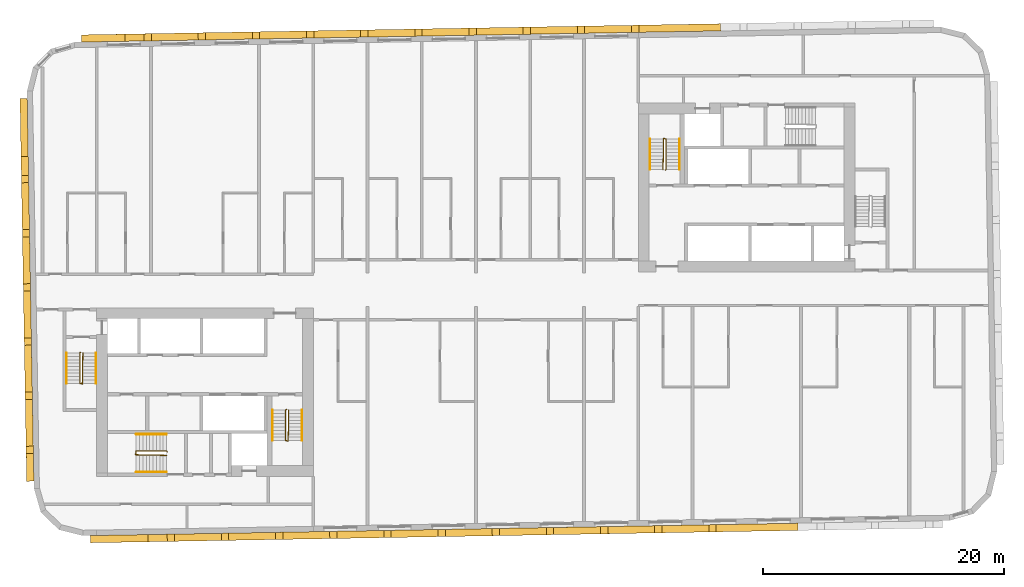
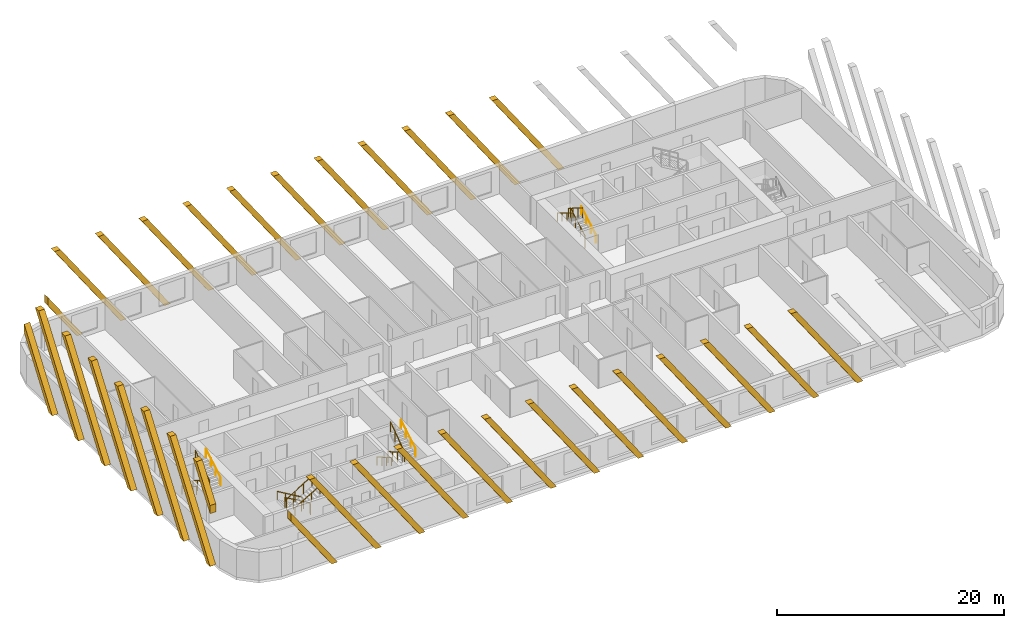
# One storey, part 11 of 12: 33 coverings, 12 railings.
"""IFC4 building model written with IfcOpenShell, lengths in metres."""

from ifc_helpers import new_model, si_unit, direction, frame, origin, origin_2d, place, context, subcontext, project, spatial, polyline, rectangle, circle, outline, extrude, material, material_profile, profile_set, type_object, element, save


model = new_model("IFC4")

# Units and contexts
model_context = context("Model", 3, precision=1e-05, world=origin(), true_north=direction((0.0, 1.0)))
body_context = subcontext(model_context, "Body", "Model", "MODEL_VIEW")
ifc_project = project(units=[si_unit("LENGTHUNIT", "METRE"), si_unit("AREAUNIT", "SQUARE_METRE"), si_unit("VOLUMEUNIT", "CUBIC_METRE"), si_unit("PLANEANGLEUNIT", "RADIAN"), si_unit("MASSUNIT", "GRAM", prefix="KILO")], contexts=[model_context])

# Site, building, storey
site_placement = place(None, origin())
site = spatial("IfcSite", under=ifc_project, at=site_placement, CompositionType="ELEMENT")
building_placement = place(site_placement, origin())
building = spatial("IfcBuilding", under=site, at=building_placement, Name="Kajstack Hotel Tower", CompositionType="ELEMENT")
storey_placement = place(building_placement, frame((0.0, 0.0, 217.699951171875)))
storey = spatial("IfcBuildingStorey", under=building, at=storey_placement, Name="L52", CompositionType="ELEMENT", Elevation=217.699951171875)

# Coverings
ifc_material_1 = material(Name="Terracotta", Category="masonry")
ifc_material_profile = material_profile(ifc_material_1, rectangle(XDim=0.60009765625, YDim=0.5, at=origin_2d()), Name="Terracotta-clad concrete baguette 500 x 600")
ifc_profile_set = profile_set([ifc_material_profile], Name="Terracotta")
covering_type = type_object("IfcCoveringType", Name="BAGUETTE 500x600", PredefinedType="CLADDING", material=ifc_profile_set)
covering_1_placement = place(storey_placement, frame((-37.271484375, 15.8994140625, 0.0), z_axis=(-0.999846892363, -0.017498337962, 0.0), x_axis=(0.017498337962, -0.999846892363, 0.0)))
element("IfcCovering", 1, at=covering_1_placement, inside=storey, type_object=covering_type, Name="Baguette L52-00-000", PredefinedType="CLADDING", context=body_context, shape_type="SweptSolid", body=[
    extrude(outline(polyline([(4.803466796875, 0.0), (0.0, 6.989013671875), (0.0, 6.106201171875), (4.196533203125, 0.0), (4.803466796875, 0.0)])), origin(), (0.0, 0.0, 1.0), 0.599853515625),
])
covering_2_placement = place(storey_placement, frame((-37.23828125, 14.00732421875, 0.0), z_axis=(-0.999847016888, -0.017491221207, 0.0), x_axis=(0.017491221207, -0.999847016888, 0.0)))
element("IfcCovering", 2, at=covering_2_placement, inside=storey, type_object=covering_type, Name="Baguette L52-00-004", PredefinedType="CLADDING", context=body_context, shape_type="SweptSolid", body=[
    extrude(outline(polyline([(0.0, 9.89990234375), (6.80419921875, 0.0), (7.410888671875, 0.0), (0.606689453125, 9.89990234375), (0.0, 9.89990234375)])), origin(), (0.0, 0.0, 1.0), 0.60009765625),
])
for number, where, z_axis, x_axis, name in (
    (3, (-37.159912109375, 9.5078125, 0.0), (-0.999846892363, -0.017498337962, 0.0), (0.017498337962, -0.999846892363, 0.0), "Baguette L52-00-008"),
    (4, (-37.081298828125, 5.008544921875, 0.0), (-0.999846892363, -0.017498337962, 0.0), (0.017498337962, -0.999846892363, 0.0), "Baguette L52-00-012"),
):
    element("IfcCovering", number, at=place(storey_placement, frame(where, z_axis=z_axis, x_axis=x_axis)), inside=storey, type_object=covering_type, Name=name, PredefinedType="CLADDING", context=body_context, shape_type="SweptSolid", body=[
        extrude(outline(polyline([(0.0, 9.89990234375), (6.80419921875, 0.0), (7.410888671875, 0.0), (0.606689453125, 9.89990234375), (0.0, 9.89990234375)])), origin(), (0.0, 0.0, 1.0), 0.599853515625),
    ])
covering_3_placement = place(storey_placement, frame((-37.002685546875, 0.50927734375, 0.0), z_axis=(-0.999847016888, -0.017491221207, 0.0), x_axis=(0.017491221207, -0.999847016888, 0.0)))
element("IfcCovering", 5, at=covering_3_placement, inside=storey, type_object=covering_type, Name="Baguette L52-00-016", PredefinedType="CLADDING", context=body_context, shape_type="SweptSolid", body=[
    extrude(outline(polyline([(0.0, 9.89990234375), (6.80419921875, 0.0), (7.410888671875, 0.0), (0.606689453125, 9.89990234375), (0.0, 9.89990234375)])), origin(), (0.0, 0.0, 1.0), 0.60009765625),
])
covering_4_placement = place(storey_placement, frame((-36.92431640625, -3.989990234375, 0.0), z_axis=(-0.999846892363, -0.017498337962, 0.0), x_axis=(0.017498337962, -0.999846892363, 0.0)))
element("IfcCovering", 6, at=covering_4_placement, inside=storey, type_object=covering_type, Name="Baguette L52-00-020", PredefinedType="CLADDING", context=body_context, shape_type="SweptSolid", body=[
    extrude(outline(polyline([(0.0, 9.89990234375), (6.80419921875, 0.0), (7.410888671875, 0.0), (0.606689453125, 9.89990234375), (0.0, 9.89990234375)])), origin(), (0.0, 0.0, 1.0), 0.599853515625),
])
covering_5_placement = place(storey_placement, frame((-36.845703125, -8.489501953125, 0.0), z_axis=(-0.999853929301, -0.017091520159, 0.0), x_axis=(0.017091520159, -0.999853929301, 0.0)))
element("IfcCovering", 7, at=covering_5_placement, inside=storey, type_object=covering_type, Name="Baguette L52-00-024", PredefinedType="CLADDING", context=body_context, shape_type="SweptSolid", body=[
    extrude(outline(polyline([(6.80419921875, 0.0), (7.407470703125, 0.0), (7.407470703125, 0.0048828125), (0.606689453125, 9.89990234375), (0.0, 9.89990234375), (6.80419921875, 0.0)])), origin(), (0.0, 0.0, 1.0), 0.599853515625),
])
covering_6_placement = place(storey_placement, frame((-36.76708984375, -12.98876953125, 0.0), z_axis=(-0.999846892363, -0.017498337962, 0.0), x_axis=(0.017498337962, -0.999846892363, 0.0)))
element("IfcCovering", 8, at=covering_6_placement, inside=storey, type_object=covering_type, Name="Baguette L52-00-028", PredefinedType="CLADDING", context=body_context, shape_type="SweptSolid", body=[
    extrude(outline(polyline([(0.0, 9.89990234375), (2.907470703125, 5.669677734375), (2.907470703125, 6.552490234375), (0.606689453125, 9.89990234375), (0.0, 9.89990234375)])), origin(), (0.0, 0.0, 1.0), 0.599853515625),
])
covering_7_placement = place(storey_placement, frame((-32.036865234375, -20.414794921875, 0.0), z_axis=(0.017498337962, -0.999846892363, 0.0), x_axis=(0.999846892363, 0.017498337962, 0.0)))
element("IfcCovering", 9, at=covering_7_placement, inside=storey, type_object=covering_type, Name="Baguette L52-04-000", PredefinedType="CLADDING", context=body_context, shape_type="SweptSolid", body=[
    extrude(outline(polyline([(4.803466796875, 0.0), (0.0, 6.989013671875), (0.0, 6.106201171875), (4.196533203125, 0.0), (4.803466796875, 0.0)])), origin(), (0.0, 0.0, 1.0), 0.599853515625),
])
covering_8_placement = place(storey_placement, frame((-30.14453125, -20.381591796875, 0.0), z_axis=(0.017491221207, -0.999847016888, 0.0), x_axis=(0.999847016888, 0.017491221207, 0.0)))
element("IfcCovering", 10, at=covering_8_placement, inside=storey, type_object=covering_type, Name="Baguette L52-04-004", PredefinedType="CLADDING", context=body_context, shape_type="SweptSolid", body=[
    extrude(outline(polyline([(0.0, 9.89990234375), (6.80419921875, 0.0), (7.410888671875, 0.0), (0.606689453125, 9.89990234375), (0.0, 9.89990234375)])), origin(), (0.0, 0.0, 1.0), 0.60009765625),
])
for number, where, z_axis, x_axis, name in (
    (11, (-25.645263671875, -20.30322265625, 0.0), (0.017498337962, -0.999846892363, 0.0), (0.999846892363, 0.017498337962, 0.0), "Baguette L52-04-008"),
    (12, (-21.14599609375, -20.224609375, 0.0), (0.017498337962, -0.999846892363, 0.0), (0.999846892363, 0.017498337962, 0.0), "Baguette L52-04-012"),
):
    element("IfcCovering", number, at=place(storey_placement, frame(where, z_axis=z_axis, x_axis=x_axis)), inside=storey, type_object=covering_type, Name=name, PredefinedType="CLADDING", context=body_context, shape_type="SweptSolid", body=[
        extrude(outline(polyline([(0.0, 9.89990234375), (6.80419921875, 0.0), (7.410888671875, 0.0), (0.606689453125, 9.89990234375), (0.0, 9.89990234375)])), origin(), (0.0, 0.0, 1.0), 0.599853515625),
    ])
covering_9_placement = place(storey_placement, frame((-16.646484375, -20.14599609375, 0.0), z_axis=(0.017491221207, -0.999847016888, 0.0), x_axis=(0.999847016888, 0.017491221207, 0.0)))
element("IfcCovering", 13, at=covering_9_placement, inside=storey, type_object=covering_type, Name="Baguette L52-04-016", PredefinedType="CLADDING", context=body_context, shape_type="SweptSolid", body=[
    extrude(outline(polyline([(0.0, 9.89990234375), (6.80419921875, 0.0), (7.410888671875, 0.0), (0.606689453125, 9.89990234375), (0.0, 9.89990234375)])), origin(), (0.0, 0.0, 1.0), 0.60009765625),
])
for number, where, z_axis, x_axis, name in (
    (14, (-12.147216796875, -20.067626953125, 0.0), (0.017498337962, -0.999846892363, 0.0), (0.999846892363, 0.017498337962, 0.0), "Baguette L52-04-020"),
    (15, (-7.64794921875, -19.989013671875, 0.0), (0.017498337962, -0.999846892363, 0.0), (0.999846892363, 0.017498337962, 0.0), "Baguette L52-04-024"),
):
    element("IfcCovering", number, at=place(storey_placement, frame(where, z_axis=z_axis, x_axis=x_axis)), inside=storey, type_object=covering_type, Name=name, PredefinedType="CLADDING", context=body_context, shape_type="SweptSolid", body=[
        extrude(outline(polyline([(0.0, 9.89990234375), (6.80419921875, 0.0), (7.410888671875, 0.0), (0.606689453125, 9.89990234375), (0.0, 9.89990234375)])), origin(), (0.0, 0.0, 1.0), 0.599853515625),
    ])
covering_10_placement = place(storey_placement, frame((-3.148681640625, -19.910400390625, 0.0), z_axis=(0.017491221207, -0.999847016888, 0.0), x_axis=(0.999847016888, 0.017491221207, 0.0)))
element("IfcCovering", 16, at=covering_10_placement, inside=storey, type_object=covering_type, Name="Baguette L52-04-028", PredefinedType="CLADDING", context=body_context, shape_type="SweptSolid", body=[
    extrude(outline(polyline([(0.0, 9.89990234375), (6.80419921875, 0.0), (7.410888671875, 0.0), (0.606689453125, 9.89990234375), (0.0, 9.89990234375)])), origin(), (0.0, 0.0, 1.0), 0.60009765625),
])
for number, where, z_axis, x_axis, name in (
    (17, (1.3505859375, -19.83203125, 0.0), (0.017498337962, -0.999846892363, 0.0), (0.999846892363, 0.017498337962, 0.0), "Baguette L52-04-032"),
    (18, (5.85009765625, -19.75341796875, 0.0), (0.017091520159, -0.999853929301, 0.0), (0.999853929301, 0.017091520159, 0.0), "Baguette L52-04-036"),
    (19, (10.349365234375, -19.6748046875, 0.0), (0.017498337962, -0.999846892363, 0.0), (0.999846892363, 0.017498337962, 0.0), "Baguette L52-04-040"),
    (20, (14.8486328125, -19.596435546875, 0.0), (0.017498337962, -0.999846892363, 0.0), (0.999846892363, 0.017498337962, 0.0), "Baguette L52-04-044"),
    (21, (19.347900390625, -19.517822265625, 0.0), (0.017498337962, -0.999846892363, 0.0), (0.999846892363, 0.017498337962, 0.0), "Baguette L52-04-048"),
):
    element("IfcCovering", number, at=place(storey_placement, frame(where, z_axis=z_axis, x_axis=x_axis)), inside=storey, type_object=covering_type, Name=name, PredefinedType="CLADDING", context=body_context, shape_type="SweptSolid", body=[
        extrude(outline(polyline([(0.0, 9.89990234375), (6.80419921875, 0.0), (7.410888671875, 0.0), (0.606689453125, 9.89990234375), (0.0, 9.89990234375)])), origin(), (0.0, 0.0, 1.0), 0.599853515625),
    ])
covering_11_placement = place(storey_placement, frame((20.3427734375, 21.505859375, 0.0), z_axis=(-0.017498337962, 0.999846892363, 0.0), x_axis=(-0.999846892363, -0.017498337962, 0.0)))
element("IfcCovering", 22, at=covering_11_placement, inside=storey, type_object=covering_type, Name="Baguette L52-12-020", PredefinedType="CLADDING", context=body_context, shape_type="SweptSolid", body=[
    extrude(outline(polyline([(6.80419921875, 9.89990234375), (0.0, 0.0), (0.606689453125, 0.0), (7.410888671875, 9.89990234375), (6.80419921875, 9.89990234375)])), origin(), (0.0, 0.0, 1.0), 0.599853515625),
])
covering_12_placement = place(storey_placement, frame((15.843505859375, 21.42724609375, 0.0), z_axis=(-0.017491221207, 0.999847016888, 0.0), x_axis=(-0.999847016888, -0.017491221207, 0.0)))
element("IfcCovering", 23, at=covering_12_placement, inside=storey, type_object=covering_type, Name="Baguette L52-12-024", PredefinedType="CLADDING", context=body_context, shape_type="SweptSolid", body=[
    extrude(outline(polyline([(6.80419921875, 9.89990234375), (0.0, 0.0), (0.606689453125, 0.0), (7.410888671875, 9.89990234375), (6.80419921875, 9.89990234375)])), origin(), (0.0, 0.0, 1.0), 0.60009765625),
])
for number, where, z_axis, x_axis, name in (
    (24, (11.34423828125, 21.348876953125, 0.0), (-0.017498337962, 0.999846892363, 0.0), (-0.999846892363, -0.017498337962, 0.0), "Baguette L52-12-028"),
    (25, (6.844970703125, 21.270263671875, 0.0), (-0.017498337962, 0.999846892363, 0.0), (-0.999846892363, -0.017498337962, 0.0), "Baguette L52-12-032"),
):
    element("IfcCovering", number, at=place(storey_placement, frame(where, z_axis=z_axis, x_axis=x_axis)), inside=storey, type_object=covering_type, Name=name, PredefinedType="CLADDING", context=body_context, shape_type="SweptSolid", body=[
        extrude(outline(polyline([(6.80419921875, 9.89990234375), (0.0, 0.0), (0.606689453125, 0.0), (7.410888671875, 9.89990234375), (6.80419921875, 9.89990234375)])), origin(), (0.0, 0.0, 1.0), 0.599853515625),
    ])
covering_13_placement = place(storey_placement, frame((2.345703125, 21.191650390625, 0.0), z_axis=(-0.017491221207, 0.999847016888, 0.0), x_axis=(-0.999847016888, -0.017491221207, 0.0)))
element("IfcCovering", 26, at=covering_13_placement, inside=storey, type_object=covering_type, Name="Baguette L52-12-036", PredefinedType="CLADDING", context=body_context, shape_type="SweptSolid", body=[
    extrude(outline(polyline([(6.80419921875, 9.89990234375), (0.0, 0.0), (0.606689453125, 0.0), (7.410888671875, 9.89990234375), (6.80419921875, 9.89990234375)])), origin(), (0.0, 0.0, 1.0), 0.60009765625),
])
for number, where, z_axis, x_axis, name in (
    (27, (-2.15380859375, 21.11328125, 0.0), (-0.017498337962, 0.999846892363, 0.0), (-0.999846892363, -0.017498337962, 0.0), "Baguette L52-12-040"),
    (28, (-6.653076171875, 21.03466796875, 0.0), (-0.017498337962, 0.999846892363, 0.0), (-0.999846892363, -0.017498337962, 0.0), "Baguette L52-12-044"),
    (29, (-11.15234375, 20.9560546875, 0.0), (-0.017498337962, 0.999846892363, 0.0), (-0.999846892363, -0.017498337962, 0.0), "Baguette L52-12-048"),
    (30, (-15.651611328125, 20.877685546875, 0.0), (-0.017498337962, 0.999846892363, 0.0), (-0.999846892363, -0.017498337962, 0.0), "Baguette L52-12-052"),
    (31, (-20.15087890625, 20.799072265625, 0.0), (-0.017498337962, 0.999846892363, 0.0), (-0.999846892363, -0.017498337962, 0.0), "Baguette L52-12-056"),
    (32, (-24.650390625, 20.720458984375, 0.0), (-0.017091520159, 0.999853929301, 0.0), (-0.999853929301, -0.017091520159, 0.0), "Baguette L52-12-060"),
):
    element("IfcCovering", number, at=place(storey_placement, frame(where, z_axis=z_axis, x_axis=x_axis)), inside=storey, type_object=covering_type, Name=name, PredefinedType="CLADDING", context=body_context, shape_type="SweptSolid", body=[
        extrude(outline(polyline([(6.80419921875, 9.89990234375), (0.0, 0.0), (0.606689453125, 0.0), (7.410888671875, 9.89990234375), (6.80419921875, 9.89990234375)])), origin(), (0.0, 0.0, 1.0), 0.599853515625),
    ])
covering_14_placement = place(storey_placement, frame((-29.149658203125, 20.641845703125, 0.0), z_axis=(-0.017491221207, 0.999847016888, 0.0), x_axis=(-0.999847016888, -0.017491221207, 0.0)))
element("IfcCovering", 33, at=covering_14_placement, inside=storey, type_object=covering_type, Name="Baguette L52-12-064", PredefinedType="CLADDING", context=body_context, shape_type="SweptSolid", body=[
    extrude(outline(polyline([(0.606689453125, 0.0), (3.603271484375, 4.360107421875), (3.603271484375, 5.242919921875), (0.0, 0.0), (0.606689453125, 0.0)])), origin(), (0.0, 0.0, 1.0), 0.60009765625),
])

# Railings
ifc_material_2 = material(Name="Steel S355J2", Category="steel")
railing_type_1 = type_object("IfcRailingType", Name="Stair guard 1100", PredefinedType="GUARDRAIL", material=ifc_material_2)
railing_1_placement = place(storey_placement, frame((-32.85009765625, -5.199951171875, 0.0)))
element("IfcRailing", 34, at=railing_1_placement, inside=storey, type_object=railing_type_1, Name="L52 W1 stair guard 1", PredefinedType="GUARDRAIL", context=body_context, shape_type="SweptSolid", body=[
    extrude(circle(Radius=0.02392578125, at=origin_2d()), frame((0.0, 0.0, 1.076171875), z_axis=(-0.277450376394, -0.278810427259, 0.919394384522), x_axis=(0.708833529934, -0.705375805398, 0.0)), (0.0, 0.0, 1.0), 0.179443359375),
    extrude(circle(Radius=0.02392578125, at=origin_2d()), frame((-0.0498046875, -0.050048828125, 1.2412109375), z_axis=(0.0, -0.86152411907, 0.507716645641), x_axis=(1.0, 0.0, 0.0)), (0.0, 0.0, 1.0), 2.925048828125),
    extrude(circle(Radius=0.02392578125, at=origin_2d()), frame((-0.0498046875, -2.570068359375, 2.72607421875), z_axis=(0.970072785993, -0.242814311512, 0.0), x_axis=(0.242814311512, 0.970072785993, 0.0)), (0.0, 0.0, 1.0), 0.2060546875),
    extrude(circle(Radius=0.02392578125, at=origin_2d()), frame((0.150146484375, -2.6201171875, 2.72607421875), z_axis=(0.016385308676, 0.841405582595, 0.540155687962), x_axis=(-0.999810440751, 0.019470042781, 0.0)), (0.0, 0.0, 1.0), 3.054443359375),
    extrude(circle(Radius=0.02099609375, at=origin_2d()), origin(), (0.0, 0.0, 1.0), 1.052001953125),
    extrude(circle(Radius=0.02099609375, at=origin_2d()), frame((-0.0498046875, -0.050048828125, 0.1650390625)), (0.0, 0.0, 1.0), 1.052001953125),
    extrude(circle(Radius=0.02099609375, at=origin_2d()), frame((-0.0498046875, -0.89013671875, 0.66015625)), (0.0, 0.0, 1.0), 1.052001953125),
    extrude(circle(Radius=0.02099609375, at=origin_2d()), frame((-0.0498046875, -1.72998046875, 1.155029296875)), (0.0, 0.0, 1.0), 1.052001953125),
    extrude(circle(Radius=0.02099609375, at=origin_2d()), frame((-0.0498046875, -2.570068359375, 1.650146484375)), (0.0, 0.0, 1.0), 1.052001953125),
    extrude(circle(Radius=0.02099609375, at=origin_2d()), frame((0.150146484375, -2.6201171875, 1.650146484375)), (0.0, 0.0, 1.0), 1.052001953125),
    extrude(circle(Radius=0.02099609375, at=origin_2d()), frame((0.166748046875, -1.763427734375, 2.2001953125)), (0.0, 0.0, 1.0), 1.052001953125),
    extrude(circle(Radius=0.02099609375, at=origin_2d()), frame((0.18359375, -0.90673828125, 2.75)), (0.0, 0.0, 1.0), 1.052001953125),
    extrude(circle(Radius=0.02099609375, at=origin_2d()), frame((0.2001953125, -0.050048828125, 3.300048828125)), (0.0, 0.0, 1.0), 1.052001953125),
])
railing_2_placement = place(storey_placement, frame((-15.75, -9.949951171875, 0.0)))
element("IfcRailing", 35, at=railing_2_placement, inside=storey, type_object=railing_type_1, Name="L52 W2 stair guard 1", PredefinedType="GUARDRAIL", context=body_context, shape_type="SweptSolid", body=[
    extrude(circle(Radius=0.02392578125, at=origin_2d()), frame((0.0, 0.0, 1.076171875), z_axis=(-0.278705021027, -0.278705021027, 0.919046801044), x_axis=(0.707106781187, -0.707106781187, 0.0)), (0.0, 0.0, 1.0), 0.1796875),
    extrude(circle(Radius=0.02392578125, at=origin_2d()), frame((-0.050048828125, -0.050048828125, 1.2412109375), z_axis=(0.0, -0.86152411907, 0.507716645641), x_axis=(1.0, 0.0, 0.0)), (0.0, 0.0, 1.0), 2.925048828125),
    extrude(circle(Radius=0.02392578125, at=origin_2d()), frame((-0.050048828125, -2.570068359375, 2.72607421875), z_axis=(0.970072785993, -0.242814311512, 0.0), x_axis=(0.242814311512, 0.970072785993, 0.0)), (0.0, 0.0, 1.0), 0.2060546875),
    extrude(circle(Radius=0.02392578125, at=origin_2d()), frame((0.14990234375, -2.6201171875, 2.72607421875), z_axis=(0.016385308676, 0.841405582595, 0.540155687962), x_axis=(-0.999810440751, 0.019470042781, 0.0)), (0.0, 0.0, 1.0), 3.054443359375),
    extrude(circle(Radius=0.02099609375, at=origin_2d()), origin(), (0.0, 0.0, 1.0), 1.052001953125),
    extrude(circle(Radius=0.02099609375, at=origin_2d()), frame((-0.050048828125, -0.050048828125, 0.1650390625)), (0.0, 0.0, 1.0), 1.052001953125),
    extrude(circle(Radius=0.02099609375, at=origin_2d()), frame((-0.050048828125, -0.89013671875, 0.66015625)), (0.0, 0.0, 1.0), 1.052001953125),
    extrude(circle(Radius=0.02099609375, at=origin_2d()), frame((-0.050048828125, -1.72998046875, 1.155029296875)), (0.0, 0.0, 1.0), 1.052001953125),
    extrude(circle(Radius=0.02099609375, at=origin_2d()), frame((-0.050048828125, -2.570068359375, 1.650146484375)), (0.0, 0.0, 1.0), 1.052001953125),
    extrude(circle(Radius=0.02099609375, at=origin_2d()), frame((0.14990234375, -2.6201171875, 1.650146484375)), (0.0, 0.0, 1.0), 1.052001953125),
    extrude(circle(Radius=0.02099609375, at=origin_2d()), frame((0.16650390625, -1.763427734375, 2.2001953125)), (0.0, 0.0, 1.0), 1.052001953125),
    extrude(circle(Radius=0.02099609375, at=origin_2d()), frame((0.183349609375, -0.90673828125, 2.75)), (0.0, 0.0, 1.0), 1.052001953125),
    extrude(circle(Radius=0.02099609375, at=origin_2d()), frame((0.199951171875, -0.050048828125, 3.300048828125)), (0.0, 0.0, 1.0), 1.052001953125),
])
railing_3_placement = place(storey_placement, frame((-25.64990234375, -13.449951171875, 0.0)))
element("IfcRailing", 36, at=railing_3_placement, inside=storey, type_object=railing_type_1, Name="L52 W3 stair guard 1", PredefinedType="GUARDRAIL", context=body_context, shape_type="SweptSolid", body=[
    extrude(circle(Radius=0.02392578125, at=origin_2d()), frame((0.0, 0.0, 1.076171875), z_axis=(-0.278705021027, 0.278705021027, 0.919046801044), x_axis=(-0.707106781187, -0.707106781187, 0.0)), (0.0, 0.0, 1.0), 0.1796875),
    extrude(circle(Radius=0.02392578125, at=origin_2d()), frame((-0.050048828125, 0.050048828125, 1.2412109375), z_axis=(-0.86152411907, 0.0, 0.507716645641), x_axis=(0.0, -1.0, 0.0)), (0.0, 0.0, 1.0), 2.925048828125),
    extrude(circle(Radius=0.02392578125, at=origin_2d()), frame((-2.570068359375, 0.050048828125, 2.72607421875), z_axis=(-0.164529134168, -0.986372223864, 0.0), x_axis=(0.986372223864, -0.164529134168, 0.0)), (0.0, 0.0, 1.0), 0.30419921875),
    extrude(circle(Radius=0.02392578125, at=origin_2d()), frame((-2.6201171875, -0.25, 2.72607421875), z_axis=(0.841405582595, -0.016385308676, 0.540155687962), x_axis=(0.019470042781, 0.999810440751, 0.0)), (0.0, 0.0, 1.0), 3.054443359375),
    extrude(circle(Radius=0.02099609375, at=origin_2d()), origin(), (0.0, 0.0, 1.0), 1.052001953125),
    extrude(circle(Radius=0.02099609375, at=origin_2d()), frame((-0.050048828125, 0.050048828125, 0.1650390625)), (0.0, 0.0, 1.0), 1.052001953125),
    extrude(circle(Radius=0.02099609375, at=origin_2d()), frame((-0.89013671875, 0.050048828125, 0.66015625)), (0.0, 0.0, 1.0), 1.052001953125),
    extrude(circle(Radius=0.02099609375, at=origin_2d()), frame((-1.72998046875, 0.050048828125, 1.155029296875)), (0.0, 0.0, 1.0), 1.052001953125),
    extrude(circle(Radius=0.02099609375, at=origin_2d()), frame((-2.570068359375, 0.050048828125, 1.650146484375)), (0.0, 0.0, 1.0), 1.052001953125),
    extrude(circle(Radius=0.02099609375, at=origin_2d()), frame((-2.6201171875, -0.25, 1.650146484375)), (0.0, 0.0, 1.0), 1.052001953125),
    extrude(circle(Radius=0.02099609375, at=origin_2d()), frame((-1.763427734375, -0.2666015625, 2.2001953125)), (0.0, 0.0, 1.0), 1.052001953125),
    extrude(circle(Radius=0.02099609375, at=origin_2d()), frame((-0.90673828125, -0.283447265625, 2.75)), (0.0, 0.0, 1.0), 1.052001953125),
    extrude(circle(Radius=0.02099609375, at=origin_2d()), frame((-0.050048828125, -0.300048828125, 3.300048828125)), (0.0, 0.0, 1.0), 1.052001953125),
])
railing_4_placement = place(storey_placement, frame((15.75, 9.949951171875, 0.0)))
element("IfcRailing", 37, at=railing_4_placement, inside=storey, type_object=railing_type_1, Name="L52 E2 stair guard 1", PredefinedType="GUARDRAIL", context=body_context, shape_type="SweptSolid", body=[
    extrude(circle(Radius=0.02392578125, at=origin_2d()), frame((0.0, 0.0, 1.076171875), z_axis=(0.278705021027, 0.278705021027, 0.919046801044), x_axis=(-0.707106781187, 0.707106781187, 0.0)), (0.0, 0.0, 1.0), 0.1796875),
    extrude(circle(Radius=0.02392578125, at=origin_2d()), frame((0.050048828125, 0.050048828125, 1.2412109375), z_axis=(0.0, 0.86152411907, 0.507716645641), x_axis=(-1.0, 0.0, 0.0)), (0.0, 0.0, 1.0), 2.925048828125),
    extrude(circle(Radius=0.02392578125, at=origin_2d()), frame((0.050048828125, 2.570068359375, 2.72607421875), z_axis=(-0.970072785993, 0.242814311512, 0.0), x_axis=(-0.242814311512, -0.970072785993, 0.0)), (0.0, 0.0, 1.0), 0.2060546875),
    extrude(circle(Radius=0.02392578125, at=origin_2d()), frame((-0.14990234375, 2.6201171875, 2.72607421875), z_axis=(-0.016385308676, -0.841405582595, 0.540155687962), x_axis=(0.999810440751, -0.019470042781, 0.0)), (0.0, 0.0, 1.0), 3.054443359375),
    extrude(circle(Radius=0.02099609375, at=origin_2d()), origin(), (0.0, 0.0, 1.0), 1.052001953125),
    extrude(circle(Radius=0.02099609375, at=origin_2d()), frame((0.050048828125, 0.050048828125, 0.1650390625)), (0.0, 0.0, 1.0), 1.052001953125),
    extrude(circle(Radius=0.02099609375, at=origin_2d()), frame((0.050048828125, 0.89013671875, 0.66015625)), (0.0, 0.0, 1.0), 1.052001953125),
    extrude(circle(Radius=0.02099609375, at=origin_2d()), frame((0.050048828125, 1.72998046875, 1.155029296875)), (0.0, 0.0, 1.0), 1.052001953125),
    extrude(circle(Radius=0.02099609375, at=origin_2d()), frame((0.050048828125, 2.570068359375, 1.650146484375)), (0.0, 0.0, 1.0), 1.052001953125),
    extrude(circle(Radius=0.02099609375, at=origin_2d()), frame((-0.14990234375, 2.6201171875, 1.650146484375)), (0.0, 0.0, 1.0), 1.052001953125),
    extrude(circle(Radius=0.02099609375, at=origin_2d()), frame((-0.16650390625, 1.763427734375, 2.2001953125)), (0.0, 0.0, 1.0), 1.052001953125),
    extrude(circle(Radius=0.02099609375, at=origin_2d()), frame((-0.183349609375, 0.90673828125, 2.75)), (0.0, 0.0, 1.0), 1.052001953125),
    extrude(circle(Radius=0.02099609375, at=origin_2d()), frame((-0.199951171875, 0.050048828125, 3.300048828125)), (0.0, 0.0, 1.0), 1.052001953125),
])
railing_type_2 = type_object("IfcRailingType", Name="Stair handrail 900", PredefinedType="HANDRAIL", material=ifc_material_2)
railing_5_placement = place(storey_placement, frame((-34.0, -5.25, 0.1650390625)))
element("IfcRailing", 38, at=railing_5_placement, inside=storey, type_object=railing_type_2, Name="L52 W1 stair handrail 1", PredefinedType="HANDRAIL", context=body_context, shape_type="SweptSolid", body=[
    extrude(circle(Radius=0.02392578125, at=origin_2d()), frame((0.0, 0.0, 0.8759765625), z_axis=(0.0, -0.86152411907, 0.507716645641), x_axis=(1.0, 0.0, 0.0)), (0.0, 0.0, 1.0), 2.925048828125),
    extrude(circle(Radius=0.02099609375, at=origin_2d()), origin(), (0.0, 0.0, 1.0), 0.851806640625),
    extrude(circle(Radius=0.02099609375, at=origin_2d()), frame((0.0, -0.840087890625, 0.4951171875)), (0.0, 0.0, 1.0), 0.851806640625),
    extrude(circle(Radius=0.02099609375, at=origin_2d()), frame((0.0, -1.679931640625, 0.989990234375)), (0.0, 0.0, 1.0), 0.851806640625),
    extrude(circle(Radius=0.02099609375, at=origin_2d()), frame((0.0, -2.52001953125, 1.485107421875)), (0.0, 0.0, 1.0), 0.851806640625),
])
railing_6_placement = place(storey_placement, frame((-31.550048828125, -7.77001953125, 1.81494140625)))
element("IfcRailing", 39, at=railing_6_placement, inside=storey, type_object=railing_type_2, Name="L52 W1 stair handrail 2", PredefinedType="HANDRAIL", context=body_context, shape_type="SweptSolid", body=[
    extrude(circle(Radius=0.02392578125, at=origin_2d()), frame((0.0, 0.0, 0.8759765625), z_axis=(0.0, 0.86152411907, 0.507716645641), x_axis=(-1.0, 0.0, 0.0)), (0.0, 0.0, 1.0), 2.925048828125),
    extrude(circle(Radius=0.02099609375, at=origin_2d()), origin(), (0.0, 0.0, 1.0), 0.851806640625),
    extrude(circle(Radius=0.02099609375, at=origin_2d()), frame((0.0, 0.840087890625, 0.4951171875)), (0.0, 0.0, 1.0), 0.851806640625),
    extrude(circle(Radius=0.02099609375, at=origin_2d()), frame((0.0, 1.679931640625, 0.989990234375)), (0.0, 0.0, 1.0), 0.851806640625),
    extrude(circle(Radius=0.02099609375, at=origin_2d()), frame((0.0, 2.52001953125, 1.485107421875)), (0.0, 0.0, 1.0), 0.851806640625),
])
railing_7_placement = place(storey_placement, frame((-16.89990234375, -10.0, 0.1650390625)))
element("IfcRailing", 40, at=railing_7_placement, inside=storey, type_object=railing_type_2, Name="L52 W2 stair handrail 1", PredefinedType="HANDRAIL", context=body_context, shape_type="SweptSolid", body=[
    extrude(circle(Radius=0.02392578125, at=origin_2d()), frame((0.0, 0.0, 0.8759765625), z_axis=(0.0, -0.86152411907, 0.507716645641), x_axis=(1.0, 0.0, 0.0)), (0.0, 0.0, 1.0), 2.925048828125),
    extrude(circle(Radius=0.02099609375, at=origin_2d()), origin(), (0.0, 0.0, 1.0), 0.851806640625),
    extrude(circle(Radius=0.02099609375, at=origin_2d()), frame((0.0, -0.840087890625, 0.4951171875)), (0.0, 0.0, 1.0), 0.851806640625),
    extrude(circle(Radius=0.02099609375, at=origin_2d()), frame((0.0, -1.679931640625, 0.989990234375)), (0.0, 0.0, 1.0), 0.851806640625),
    extrude(circle(Radius=0.02099609375, at=origin_2d()), frame((0.0, -2.52001953125, 1.485107421875)), (0.0, 0.0, 1.0), 0.851806640625),
])
railing_8_placement = place(storey_placement, frame((-14.449951171875, -12.52001953125, 1.81494140625)))
element("IfcRailing", 41, at=railing_8_placement, inside=storey, type_object=railing_type_2, Name="L52 W2 stair handrail 2", PredefinedType="HANDRAIL", context=body_context, shape_type="SweptSolid", body=[
    extrude(circle(Radius=0.02392578125, at=origin_2d()), frame((0.0, 0.0, 0.8759765625), z_axis=(0.0, 0.86152411907, 0.507716645641), x_axis=(-1.0, 0.0, 0.0)), (0.0, 0.0, 1.0), 2.925048828125),
    extrude(circle(Radius=0.02099609375, at=origin_2d()), origin(), (0.0, 0.0, 1.0), 0.851806640625),
    extrude(circle(Radius=0.02099609375, at=origin_2d()), frame((0.0, 0.840087890625, 0.4951171875)), (0.0, 0.0, 1.0), 0.851806640625),
    extrude(circle(Radius=0.02099609375, at=origin_2d()), frame((0.0, 1.679931640625, 0.989990234375)), (0.0, 0.0, 1.0), 0.851806640625),
    extrude(circle(Radius=0.02099609375, at=origin_2d()), frame((0.0, 2.52001953125, 1.485107421875)), (0.0, 0.0, 1.0), 0.851806640625),
])
railing_9_placement = place(storey_placement, frame((-25.699951171875, -12.0, 0.1650390625)))
element("IfcRailing", 42, at=railing_9_placement, inside=storey, type_object=railing_type_2, Name="L52 W3 stair handrail 1", PredefinedType="HANDRAIL", context=body_context, shape_type="SweptSolid", body=[
    extrude(circle(Radius=0.02392578125, at=origin_2d()), frame((0.0, 0.0, 0.8759765625), z_axis=(-0.86152411907, 0.0, 0.507716645641), x_axis=(0.0, -1.0, 0.0)), (0.0, 0.0, 1.0), 2.925048828125),
    extrude(circle(Radius=0.02099609375, at=origin_2d()), origin(), (0.0, 0.0, 1.0), 0.851806640625),
    extrude(circle(Radius=0.02099609375, at=origin_2d()), frame((-0.840087890625, 0.0, 0.4951171875)), (0.0, 0.0, 1.0), 0.851806640625),
    extrude(circle(Radius=0.02099609375, at=origin_2d()), frame((-1.679931640625, 0.0, 0.989990234375)), (0.0, 0.0, 1.0), 0.851806640625),
    extrude(circle(Radius=0.02099609375, at=origin_2d()), frame((-2.52001953125, 0.0, 1.485107421875)), (0.0, 0.0, 1.0), 0.851806640625),
])
railing_10_placement = place(storey_placement, frame((-28.219970703125, -15.14990234375, 1.81494140625)))
element("IfcRailing", 43, at=railing_10_placement, inside=storey, type_object=railing_type_2, Name="L52 W3 stair handrail 2", PredefinedType="HANDRAIL", context=body_context, shape_type="SweptSolid", body=[
    extrude(circle(Radius=0.02392578125, at=origin_2d()), frame((0.0, 0.0, 0.8759765625), z_axis=(0.86152411907, 0.0, 0.507716645641), x_axis=(0.0, 1.0, 0.0)), (0.0, 0.0, 1.0), 2.925048828125),
    extrude(circle(Radius=0.02099609375, at=origin_2d()), origin(), (0.0, 0.0, 1.0), 0.851806640625),
    extrude(circle(Radius=0.02099609375, at=origin_2d()), frame((0.840087890625, 0.0, 0.4951171875)), (0.0, 0.0, 1.0), 0.851806640625),
    extrude(circle(Radius=0.02099609375, at=origin_2d()), frame((1.679931640625, 0.0, 0.989990234375)), (0.0, 0.0, 1.0), 0.851806640625),
    extrude(circle(Radius=0.02099609375, at=origin_2d()), frame((2.52001953125, 0.0, 1.485107421875)), (0.0, 0.0, 1.0), 0.851806640625),
])
railing_11_placement = place(storey_placement, frame((16.89990234375, 10.0, 0.1650390625)))
element("IfcRailing", 44, at=railing_11_placement, inside=storey, type_object=railing_type_2, Name="L52 E2 stair handrail 1", PredefinedType="HANDRAIL", context=body_context, shape_type="SweptSolid", body=[
    extrude(circle(Radius=0.02392578125, at=origin_2d()), frame((0.0, 0.0, 0.8759765625), z_axis=(0.0, 0.86152411907, 0.507716645641), x_axis=(-1.0, 0.0, 0.0)), (0.0, 0.0, 1.0), 2.925048828125),
    extrude(circle(Radius=0.02099609375, at=origin_2d()), origin(), (0.0, 0.0, 1.0), 0.851806640625),
    extrude(circle(Radius=0.02099609375, at=origin_2d()), frame((0.0, 0.840087890625, 0.4951171875)), (0.0, 0.0, 1.0), 0.851806640625),
    extrude(circle(Radius=0.02099609375, at=origin_2d()), frame((0.0, 1.679931640625, 0.989990234375)), (0.0, 0.0, 1.0), 0.851806640625),
    extrude(circle(Radius=0.02099609375, at=origin_2d()), frame((0.0, 2.52001953125, 1.485107421875)), (0.0, 0.0, 1.0), 0.851806640625),
])
railing_12_placement = place(storey_placement, frame((14.449951171875, 12.52001953125, 1.81494140625)))
element("IfcRailing", 45, at=railing_12_placement, inside=storey, type_object=railing_type_2, Name="L52 E2 stair handrail 2", PredefinedType="HANDRAIL", context=body_context, shape_type="SweptSolid", body=[
    extrude(circle(Radius=0.02392578125, at=origin_2d()), frame((0.0, 0.0, 0.8759765625), z_axis=(0.0, -0.86152411907, 0.507716645641), x_axis=(1.0, 0.0, 0.0)), (0.0, 0.0, 1.0), 2.925048828125),
    extrude(circle(Radius=0.02099609375, at=origin_2d()), origin(), (0.0, 0.0, 1.0), 0.851806640625),
    extrude(circle(Radius=0.02099609375, at=origin_2d()), frame((0.0, -0.840087890625, 0.4951171875)), (0.0, 0.0, 1.0), 0.851806640625),
    extrude(circle(Radius=0.02099609375, at=origin_2d()), frame((0.0, -1.679931640625, 0.989990234375)), (0.0, 0.0, 1.0), 0.851806640625),
    extrude(circle(Radius=0.02099609375, at=origin_2d()), frame((0.0, -2.52001953125, 1.485107421875)), (0.0, 0.0, 1.0), 0.851806640625),
])

save(model, "model.ifc")
